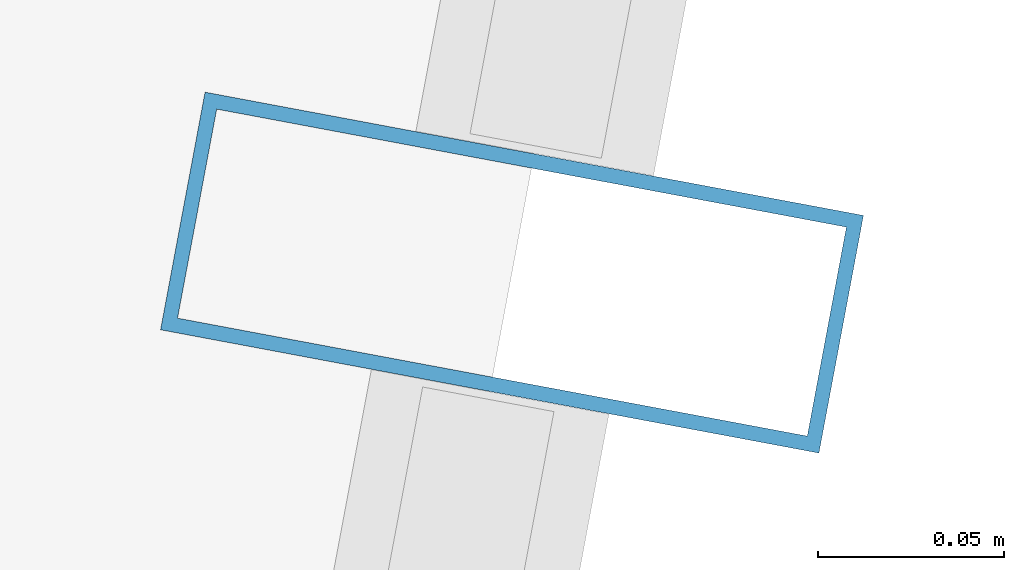
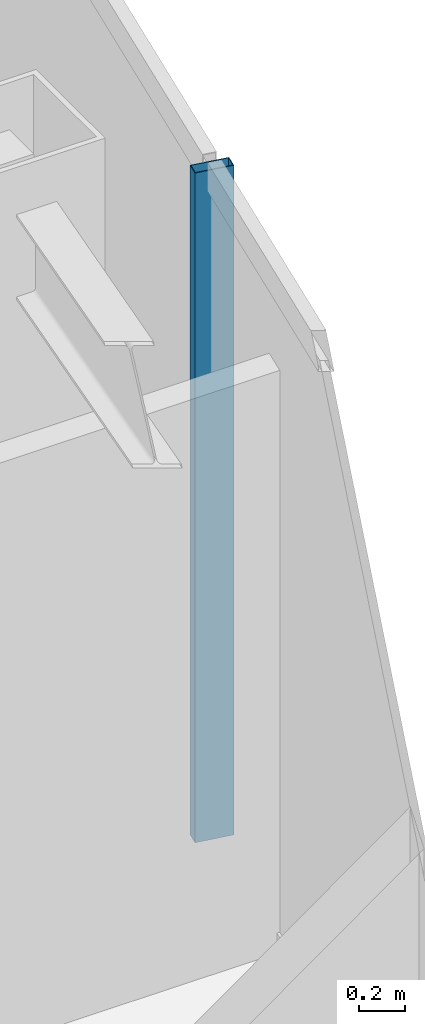
# One storey, part 14 of 22: 1 member, 1 element without a shape of its own.
"""IFC4 building model written with IfcOpenShell, lengths in metres."""

from ifc_helpers import new_model, si_unit, direction, frame, origin, origin_2d, place, context, subcontext, project, spatial, hollow_rectangle, extrude, material, material_profile, profile_set, type_object, element, aggregate, save


model = new_model("IFC4")

# Units and contexts
model_context = context("Model", 3, precision=1e-05, world=origin(), true_north=direction((0.0, 1.0)))
body_context = subcontext(model_context, "Body", "Model", "MODEL_VIEW")
ifc_project = project(units=[si_unit("LENGTHUNIT", "METRE"), si_unit("AREAUNIT", "SQUARE_METRE"), si_unit("VOLUMEUNIT", "CUBIC_METRE"), si_unit("PLANEANGLEUNIT", "RADIAN"), si_unit("MASSUNIT", "GRAM", prefix="KILO")], contexts=[model_context])

# Site, building, storey
site_placement = place(None, origin())
site = spatial("IfcSite", under=ifc_project, at=site_placement, CompositionType="ELEMENT")
building_placement = place(site_placement, origin())
building = spatial("IfcBuilding", under=site, at=building_placement, Name="Saevonmaru Cultural Tower", CompositionType="ELEMENT")
storey_placement = place(building_placement, frame((0.0, 0.0, 287.60009765625)))
storey = spatial("IfcBuildingStorey", under=building, at=storey_placement, Name="L68", CompositionType="ELEMENT", Elevation=287.60009765625)

# Curtain wall, member
ifc_material = material(Name="Satin Bronze Anodised Aluminium", Category="aluminium")
curtain_wall_type = type_object("IfcCurtainWallType", Name="CW-TYP-B", PredefinedType="NOTDEFINED", material=ifc_material)
curtain_wall_placement = place(storey_placement, origin())
curtain_wall = element("IfcCurtainWall", 1, at=curtain_wall_placement, inside=storey, type_object=curtain_wall_type, Name="L68 Unitised Curtain Wall E8", PredefinedType="NOTDEFINED")
ifc_material_profile = material_profile(ifc_material, hollow_rectangle(XDim=0.06494140625, YDim=0.179931640625, WallThickness=0.00390625, at=origin_2d()), Name="ALU-MULL-180x65x4")
ifc_profile_set = profile_set([ifc_material_profile], Name="Satin Bronze Anodised Aluminium")
member_type = type_object("IfcMemberType", Name="ML-CW-180x65", PredefinedType="MULLION", material=ifc_profile_set)
member_placement = place(storey_placement, frame((53.977783203125, 42.0, 0.0), z_axis=(0.0, 0.0, 1.0), x_axis=(0.184046528232, 0.982917532373, 0.0)))
member = element("IfcMember", 2, at=member_placement, type_object=member_type, Name="CW-TW-L68-E8 mullion 2", PredefinedType="MULLION", context=body_context, shape_type="SweptSolid", body=[
    extrude(hollow_rectangle(XDim=0.06494140625, YDim=0.179931640625, WallThickness=0.00390625, at=origin_2d()), origin(), (0.0, 0.0, 1.0), 3.5498046875),
])
aggregate(curtain_wall, [member])

save(model, "model.ifc")
